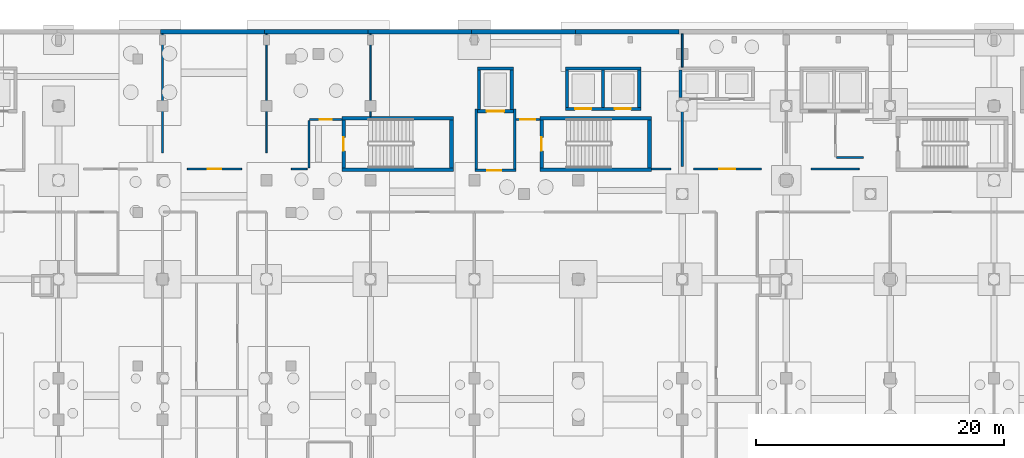
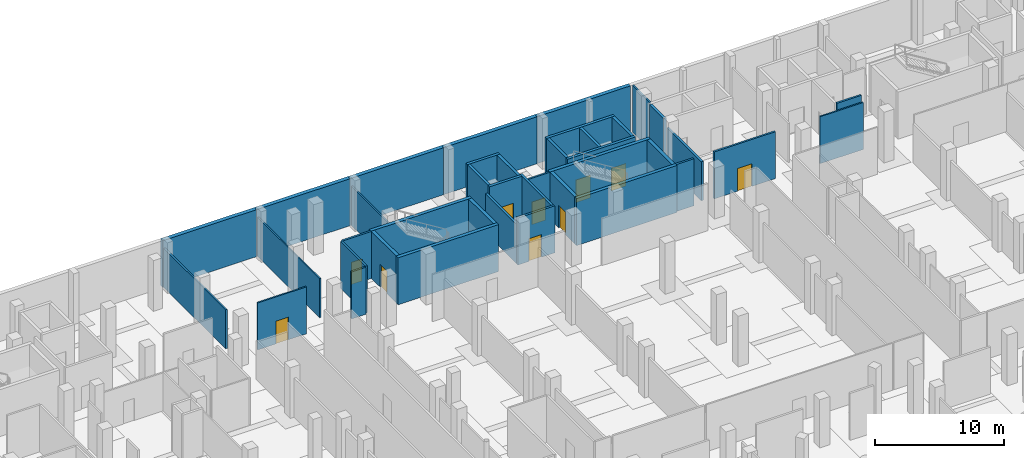
# One storey, part 34 of 45: 40 walls, 10 doors, 10 openings.
"""IFC4 building model written with IfcOpenShell, lengths in metres."""

from ifc_helpers import new_model, si_unit, direction, frame, frame_2d, origin, place, context, subcontext, project, spatial, rectangle, extrude, material, layer, layer_set, type_object, element, fill, save


model = new_model("IFC4")

# Units and contexts
model_context = context("Model", 3, precision=1e-05, world=origin(), true_north=direction((0.0, 1.0)))
body_context = subcontext(model_context, "Body", "Model", "MODEL_VIEW")
ifc_project = project(units=[si_unit("LENGTHUNIT", "METRE"), si_unit("AREAUNIT", "SQUARE_METRE"), si_unit("VOLUMEUNIT", "CUBIC_METRE"), si_unit("PLANEANGLEUNIT", "RADIAN"), si_unit("MASSUNIT", "GRAM", prefix="KILO")], contexts=[model_context])

# Site, building, storey
site_placement = place(None, origin())
site = spatial("IfcSite", under=ifc_project, at=site_placement, CompositionType="ELEMENT")
building_placement = place(site_placement, origin())
building = spatial("IfcBuilding", under=site, at=building_placement, Name="Selatvlak General Hospital", CompositionType="ELEMENT")
storey_placement = place(building_placement, frame((0.0, 0.0, -4.800048828125)))
storey = spatial("IfcBuildingStorey", under=building, at=storey_placement, Name="B1", CompositionType="ELEMENT", Elevation=-4.800048828125)

# Walls
ifc_material_1 = material(Name="Concrete C45/55", Category="concrete")
ifc_layer_1 = layer(ifc_material_1, 0.35009765625, Name="Concrete C45/55", Category="concrete")
ifc_layer_set_1 = layer_set([ifc_layer_1], Name="Concrete C45/55")
wall_type_1 = type_object("IfcWallType", Name="WALL-EW-05", PredefinedType="SHEAR", material=ifc_layer_set_1)
wall_1_placement = place(storey_placement, frame((73.047119140625, 119.9990234375, 0.0), z_axis=(0.0, 0.0, 1.0), x_axis=(1.0, 0.0, 0.0)))
element("IfcWall", 1, at=wall_1_placement, inside=storey, type_object=wall_type_1, Name="B1 retaining wall 0017", PredefinedType="SHEAR", context=body_context, shape_type="SweptSolid", body=[
    extrude(rectangle(XDim=8.380859375, YDim=0.35009765625, at=frame_2d((4.1904296875, 0.0))), origin(), (0.0, 0.0, 1.0), 4.449951171875),
])
wall_2_placement = place(storey_placement, frame((81.427978515625, 119.9990234375, 0.0), z_axis=(0.0, 0.0, 1.0), x_axis=(1.0, 0.0, 0.0)))
element("IfcWall", 2, at=wall_2_placement, inside=storey, type_object=wall_type_1, Name="B1 retaining wall 0018", PredefinedType="SHEAR", context=body_context, shape_type="SweptSolid", body=[
    extrude(rectangle(XDim=8.381103515625, YDim=0.35009765625, at=frame_2d((4.1904296875, 0.0))), origin(), (0.0, 0.0, 1.0), 4.449951171875),
])
wall_3_placement = place(storey_placement, frame((89.80908203125, 119.9990234375, 0.0), z_axis=(0.0, 0.0, 1.0), x_axis=(0.999999993211, 0.000116522954, 0.0)))
element("IfcWall", 3, at=wall_3_placement, inside=storey, type_object=wall_type_1, Name="B1 retaining wall 0019", PredefinedType="SHEAR", context=body_context, shape_type="SweptSolid", body=[
    extrude(rectangle(XDim=8.380859375, YDim=0.35009765625, at=frame_2d((4.1904296875, 0.0))), origin(), (0.0, 0.0, 1.0), 4.449951171875),
])
wall_4_placement = place(storey_placement, frame((98.18994140625, 120.0, 0.0), z_axis=(0.0, 0.0, 1.0), x_axis=(1.0, 0.0, 0.0)))
element("IfcWall", 4, at=wall_4_placement, inside=storey, type_object=wall_type_1, Name="B1 retaining wall 0020", PredefinedType="SHEAR", context=body_context, shape_type="SweptSolid", body=[
    extrude(rectangle(XDim=8.381103515625, YDim=0.35009765625, at=frame_2d((4.1904296875, 0.0))), origin(), (0.0, 0.0, 1.0), 4.449951171875),
])
wall_5_placement = place(storey_placement, frame((106.571044921875, 120.0, 0.0), z_axis=(0.0, 0.0, 1.0), x_axis=(1.0, 0.0, 0.0)))
element("IfcWall", 5, at=wall_5_placement, inside=storey, type_object=wall_type_1, Name="B1 retaining wall 0021", PredefinedType="SHEAR", context=body_context, shape_type="SweptSolid", body=[
    extrude(rectangle(XDim=8.380859375, YDim=0.35009765625, at=frame_2d((4.1904296875, 0.0))), origin(), (0.0, 0.0, 1.0), 4.449951171875),
])

# Wall, opening, door
ifc_material_2 = material(Name="Concrete C40/50", Category="concrete")
ifc_layer_2 = layer(ifc_material_2, 0.199951171875, Name="Concrete C40/50", Category="concrete")
ifc_layer_set_2 = layer_set([ifc_layer_2], Name="Concrete C40/50")
wall_type_2 = type_object("IfcWallType", Name="WALL-IW-02", PredefinedType="SOLIDWALL", material=ifc_layer_set_2)
wall_6_placement = place(storey_placement, frame((98.449951171875, 108.800048828125, 0.0), z_axis=(0.0, 0.0, 1.0), x_axis=(1.0, 0.0, 0.0)))
wall_6 = element("IfcWall", 6, at=wall_6_placement, inside=storey, type_object=wall_type_2, Name="Firefighting lobby C2 wall B1 S", PredefinedType="SOLIDWALL", context=body_context, shape_type="SweptSolid", body=[
    extrude(rectangle(XDim=3.300048828125, YDim=0.199951171875, at=frame_2d((1.64990234375, 0.0))), origin(), (0.0, 0.0, 1.0), 4.449951171875),
])
opening_1_placement = place(wall_6_placement, frame((0.97509765625, 0.0, 0.0)))
opening_1 = element("IfcOpeningElement", 7, at=opening_1_placement, cuts=wall_6, Name="Opening D-06", PredefinedType="OPENING", context=body_context, shape_type="SweptSolid", body=[
    extrude(rectangle(XDim=1.14990234375, YDim=2.14990234375, at=frame_2d((0.574951171875, 1.074951171875))), frame((0.0, 0.10986328125, 0.0), z_axis=(0.0, -1.0, 0.0), x_axis=(1.0, 0.0, 0.0)), (0.0, 0.0, 1.0), 0.219970703125),
])
ifc_material_3 = material(Name="Firefighting lobby fire door")
door_type_1 = type_object("IfcDoorType", Name="DOOR-D-06", OperationType="NOTDEFINED", PredefinedType="DOOR", material=ifc_material_3)
door_1_placement = place(opening_1_placement, origin())
door_1 = element("IfcDoor", 8, at=door_1_placement, inside=storey, type_object=door_type_1, Name="Firefighting lobby C2 door on B1", OperationType="SINGLE_SWING_LEFT", OverallHeight=2.14990234375, OverallWidth=1.14990234375, PredefinedType="DOOR", context=body_context, shape_type="SweptSolid", body=[
    extrude(rectangle(XDim=1.14990234375, YDim=2.14990234375, at=frame_2d((0.574951171875, 1.074951171875))), frame((0.0, 0.02490234375, 0.0), z_axis=(0.0, -1.0, 0.0), x_axis=(1.0, 0.0, 0.0)), (0.0, 0.0, 1.0), 0.050048828125),
])
fill(opening_1, door_1)

# Walls
wall_7_placement = place(storey_placement, frame((101.64990234375, 108.89990234375, 0.0), z_axis=(0.0, 0.0, 1.0), x_axis=(0.0, 1.0, 0.0)))
element("IfcWall", 9, at=wall_7_placement, inside=storey, type_object=wall_type_2, Name="Firefighting lobby C2 wall B1 E", PredefinedType="SOLIDWALL", context=body_context, shape_type="SweptSolid", body=[
    extrude(rectangle(XDim=4.85009765625, YDim=0.199951171875, at=frame_2d((2.425048828125, 0.0))), origin(), (0.0, 0.0, 1.0), 4.449951171875),
])
wall_8_placement = place(storey_placement, frame((98.550048828125, 113.75, 0.0), z_axis=(0.0, 0.0, 1.0), x_axis=(0.0, -1.0, 0.0)))
element("IfcWall", 10, at=wall_8_placement, inside=storey, type_object=wall_type_2, Name="Firefighting lobby C2 wall B1 W", PredefinedType="SOLIDWALL", context=body_context, shape_type="SweptSolid", body=[
    extrude(rectangle(XDim=4.85009765625, YDim=0.199951171875, at=frame_2d((2.425048828125, 0.0))), origin(), (0.0, 0.0, 1.0), 3.699951171875),
])

# Wall, opening, door
ifc_material_4 = material(Name="Acoustic gypsum stud partition")
ifc_layer_3 = layer(ifc_material_4, 0.179931640625, Name="Acoustic gypsum stud partition")
ifc_layer_set_3 = layer_set([ifc_layer_3], Name="Acoustic gypsum stud partition")
wall_type_3 = type_object("IfcWallType", Name="WALL-PT-01", PredefinedType="PARTITIONING", material=ifc_layer_set_3)
wall_9_placement = place(storey_placement, frame((87.68994140625, 112.89990234375, 0.0), z_axis=(0.0, 0.0, 1.0), x_axis=(-1.0, 0.0, 0.0)))
wall_9 = element("IfcWall", 11, at=wall_9_placement, inside=storey, type_object=wall_type_3, Name="B1 clinical partition PT-B1-0340", PredefinedType="PARTITIONING", context=body_context, shape_type="SweptSolid", body=[
    extrude(rectangle(XDim=2.58984375, YDim=0.179931640625, at=frame_2d((1.294921875, 0.0))), origin(), (0.0, 0.0, 1.0), 4.449951171875),
])
opening_2_placement = place(wall_9_placement, frame((0.820068359375, 0.0, 0.0)))
opening_2 = element("IfcOpeningElement", 12, at=opening_2_placement, cuts=wall_9, Name="Opening D-02", PredefinedType="OPENING", context=body_context, shape_type="SweptSolid", body=[
    extrude(rectangle(XDim=0.949951171875, YDim=2.10009765625, at=frame_2d((0.47509765625, 1.050048828125))), frame((0.0, 0.099853515625, 0.0), z_axis=(0.0, -1.0, 0.0), x_axis=(1.0, 0.0, 0.0)), (0.0, 0.0, 1.0), 0.199951171875),
])
ifc_material_5 = material(Name="Moisture-resistant en-suite door")
door_type_2 = type_object("IfcDoorType", Name="DOOR-D-02", OperationType="NOTDEFINED", PredefinedType="DOOR", material=ifc_material_5)
door_2_placement = place(opening_2_placement, origin())
door_2 = element("IfcDoor", 13, at=door_2_placement, inside=storey, type_object=door_type_2, Name="B1 Hospital Dietary Kitchen 82 door", OperationType="SINGLE_SWING_RIGHT", OverallHeight=2.10009765625, OverallWidth=0.949951171875, PredefinedType="DOOR", context=body_context, shape_type="SweptSolid", body=[
    extrude(rectangle(XDim=0.949951171875, YDim=2.10009765625, at=frame_2d((0.47509765625, 1.050048828125))), frame((0.0, 0.02490234375, 0.0), z_axis=(0.0, -1.0, 0.0), x_axis=(1.0, 0.0, 0.0)), (0.0, 0.0, 1.0), 0.050048828125),
])
fill(opening_2, door_2)

# Walls
wall_10_placement = place(storey_placement, frame((114.287109375, 108.909912109375, 0.0), z_axis=(0.0, 0.0, 1.0), x_axis=(-1.0, 0.0, 0.0)))
element("IfcWall", 14, at=wall_10_placement, inside=storey, type_object=wall_type_3, Name="B1 clinical partition PT-B1-0345", PredefinedType="PARTITIONING", context=body_context, shape_type="SweptSolid", body=[
    extrude(rectangle(XDim=1.5771484375, YDim=0.179931640625, at=frame_2d((0.78857421875, 0.0))), origin(), (0.0, 0.0, 1.0), 4.449951171875),
])
wall_11_placement = place(storey_placement, frame((115.199951171875, 114.452880859375, 0.0), z_axis=(0.0, 0.0, 1.0), x_axis=(0.0, -1.0, 0.0)))
element("IfcWall", 15, at=wall_11_placement, inside=storey, type_object=wall_type_3, Name="B1 clinical partition PT-B1-0348", PredefinedType="PARTITIONING", context=body_context, shape_type="SweptSolid", body=[
    extrude(rectangle(XDim=5.3427734375, YDim=0.179931640625, at=frame_2d((2.67138671875, 0.0))), origin(), (0.0, 0.0, 1.0), 3.699951171875),
])
ifc_layer_4 = layer(ifc_material_4, 0.1650390625, Name="Acoustic gypsum stud partition")
ifc_layer_set_4 = layer_set([ifc_layer_4], Name="Acoustic gypsum stud partition")
wall_type_4 = type_object("IfcWallType", Name="WALL-PT-02", PredefinedType="PARTITIONING", material=ifc_layer_set_4)
wall_12_placement = place(storey_placement, frame((85.0400390625, 112.840087890625, 0.0), z_axis=(0.0, 0.0, 1.0), x_axis=(0.0, -1.0, 0.0)))
element("IfcWall", 16, at=wall_12_placement, inside=storey, type_object=wall_type_4, Name="B1 clinical partition PT-B1-0341", PredefinedType="PARTITIONING", context=body_context, shape_type="SweptSolid", body=[
    extrude(rectangle(XDim=3.8671875, YDim=0.1650390625, at=frame_2d((1.93359375, 0.0))), origin(), (0.0, 0.0, 1.0), 4.449951171875),
])

# Wall, opening, door
wall_13_placement = place(storey_placement, frame((103.68994140625, 112.89990234375, 0.0), z_axis=(0.0, 0.0, 1.0), x_axis=(-1.0, 0.0, 0.0)))
wall_13 = element("IfcWall", 17, at=wall_13_placement, inside=storey, type_object=wall_type_4, Name="B1 clinical partition PT-B1-0346", PredefinedType="PARTITIONING", context=body_context, shape_type="SweptSolid", body=[
    extrude(rectangle(XDim=1.94287109375, YDim=0.1650390625, at=frame_2d((0.971435546875, 0.0))), origin(), (0.0, 0.0, 1.0), 4.449951171875),
])
opening_3_placement = place(wall_13_placement, frame((0.37109375, 0.0, 0.0)))
opening_3 = element("IfcOpeningElement", 18, at=opening_3_placement, cuts=wall_13, Name="Opening D-07", PredefinedType="OPENING", context=body_context, shape_type="SweptSolid", body=[
    extrude(rectangle(XDim=1.199951171875, YDim=2.14990234375, at=frame_2d((0.60009765625, 1.074951171875))), frame((0.0, 0.092529296875, 0.0), z_axis=(0.0, -1.0, 0.0), x_axis=(1.0, 0.0, 0.0)), (0.0, 0.0, 1.0), 0.18505859375),
])
ifc_material_6 = material(Name="Plant and store fire door")
door_type_3 = type_object("IfcDoorType", Name="DOOR-D-07", OperationType="NOTDEFINED", PredefinedType="DOOR", material=ifc_material_6)
door_3_placement = place(opening_3_placement, origin())
door_3 = element("IfcDoor", 19, at=door_3_placement, inside=storey, type_object=door_type_3, Name="B1 Central Chiller Plant 84 door", OperationType="SINGLE_SWING_LEFT", OverallHeight=2.14990234375, OverallWidth=1.199951171875, PredefinedType="DOOR", context=body_context, shape_type="SweptSolid", body=[
    extrude(rectangle(XDim=1.199951171875, YDim=2.14990234375, at=frame_2d((0.60009765625, 1.074951171875))), frame((0.0, 0.02490234375, 0.0), z_axis=(0.0, -1.0, 0.0), x_axis=(1.0, 0.0, 0.0)), (0.0, 0.0, 1.0), 0.050048828125),
])
fill(opening_3, door_3)

wall_14_placement = place(storey_placement, frame((121.589111328125, 108.909912109375, 0.0), z_axis=(0.0, 0.0, 1.0), x_axis=(-1.0, 0.0, 0.0)))
wall_14 = element("IfcWall", 20, at=wall_14_placement, inside=storey, type_object=wall_type_4, Name="B1 clinical partition PT-B1-0349", PredefinedType="PARTITIONING", context=body_context, shape_type="SweptSolid", body=[
    extrude(rectangle(XDim=5.47607421875, YDim=0.1650390625, at=frame_2d((2.738037109375, 0.0))), origin(), (0.0, 0.0, 1.0), 4.449951171875),
])
opening_4_placement = place(wall_14_placement, frame((2.087890625, 0.0, 0.0)))
opening_4 = element("IfcOpeningElement", 21, at=opening_4_placement, cuts=wall_14, Name="Opening D-09", PredefinedType="OPENING", context=body_context, shape_type="SweptSolid", body=[
    extrude(rectangle(XDim=1.300048828125, YDim=2.14990234375, at=frame_2d((0.64990234375, 1.074951171875))), frame((0.0, 0.092529296875, 0.0), z_axis=(0.0, -1.0, 0.0), x_axis=(1.0, 0.0, 0.0)), (0.0, 0.0, 1.0), 0.18505859375),
])
ifc_material_7 = material(Name="Outpatient procedure door")
door_type_4 = type_object("IfcDoorType", Name="DOOR-D-09", OperationType="NOTDEFINED", PredefinedType="DOOR", material=ifc_material_7)
door_4_placement = place(opening_4_placement, origin())
door_4 = element("IfcDoor", 22, at=door_4_placement, inside=storey, type_object=door_type_4, Name="B1 Standby Generator Plant 85 door", OperationType="SINGLE_SWING_RIGHT", OverallHeight=2.14990234375, OverallWidth=1.300048828125, PredefinedType="DOOR", context=body_context, shape_type="SweptSolid", body=[
    extrude(rectangle(XDim=1.300048828125, YDim=2.14990234375, at=frame_2d((0.64990234375, 1.074951171875))), frame((0.0, 0.02490234375, 0.0), z_axis=(0.0, -1.0, 0.0), x_axis=(1.0, 0.0, 0.0)), (0.0, 0.0, 1.0), 0.050048828125),
])
fill(opening_4, door_4)

# Walls
wall_15_placement = place(storey_placement, frame((127.64990234375, 109.840087890625, 0.0), z_axis=(0.0, 0.0, 1.0), x_axis=(1.0, 0.0, 0.0)))
element("IfcWall", 23, at=wall_15_placement, inside=storey, type_object=wall_type_4, Name="B1 clinical partition PT-B1-0352", PredefinedType="PARTITIONING", context=body_context, shape_type="SweptSolid", body=[
    extrude(rectangle(XDim=2.190185546875, YDim=0.1650390625, at=frame_2d((1.09521484375, 0.0))), origin(), (0.0, 0.0, 1.0), 4.449951171875),
])
ifc_layer_5 = layer(ifc_material_4, 0.14990234375, Name="Acoustic gypsum stud partition")
ifc_layer_set_5 = layer_set([ifc_layer_5], Name="Acoustic gypsum stud partition")
wall_type_5 = type_object("IfcWallType", Name="WALL-PT-03", PredefinedType="PARTITIONING", material=ifc_layer_set_5)
wall_16_placement = place(storey_placement, frame((73.199951171875, 119.826904296875, 0.0), z_axis=(0.0, 0.0, 1.0), x_axis=(0.0, -1.0, 0.0)))
element("IfcWall", 24, at=wall_16_placement, inside=storey, type_object=wall_type_5, Name="B1 clinical partition PT-B1-0337", PredefinedType="PARTITIONING", context=body_context, shape_type="SweptSolid", body=[
    extrude(rectangle(XDim=9.616943359375, YDim=0.14990234375, at=frame_2d((4.80859375, 0.0))), origin(), (0.0, 0.0, 1.0), 3.699951171875),
])
wall_17_placement = place(storey_placement, frame((84.886962890625, 108.909912109375, 0.0), z_axis=(0.0, 0.0, 1.0), x_axis=(-1.0, 0.0, 0.0)))
element("IfcWall", 25, at=wall_17_placement, inside=storey, type_object=wall_type_5, Name="B1 clinical partition PT-B1-0342", PredefinedType="PARTITIONING", context=body_context, shape_type="SweptSolid", body=[
    extrude(rectangle(XDim=1.27587890625, YDim=0.14990234375, at=frame_2d((0.637939453125, 0.0))), origin(), (0.0, 0.0, 1.0), 4.449951171875),
])

# Wall, opening, door
ifc_material_8 = material(Name="Moisture-resistant clinical partition")
ifc_layer_6 = layer(ifc_material_8, 0.135009765625, Name="Moisture-resistant clinical partition")
ifc_layer_set_6 = layer_set([ifc_layer_6], Name="Moisture-resistant clinical partition")
wall_type_6 = type_object("IfcWallType", Name="WALL-PT-04", PredefinedType="PARTITIONING", material=ifc_layer_set_6)
wall_18_placement = place(storey_placement, frame((79.589111328125, 108.909912109375, 0.0), z_axis=(0.0, 0.0, 1.0), x_axis=(-1.0, 0.0, 0.0)))
wall_18 = element("IfcWall", 26, at=wall_18_placement, inside=storey, type_object=wall_type_6, Name="B1 clinical partition PT-B1-0338", PredefinedType="PARTITIONING", context=body_context, shape_type="SweptSolid", body=[
    extrude(rectangle(XDim=4.378173828125, YDim=0.135009765625, at=frame_2d((2.18896484375, 0.0))), origin(), (0.0, 0.0, 1.0), 4.449951171875),
])
opening_5_placement = place(wall_18_placement, frame((1.638916015625, 0.0, 0.0)))
opening_5 = element("IfcOpeningElement", 27, at=opening_5_placement, cuts=wall_18, Name="Opening D-22", PredefinedType="OPENING", context=body_context, shape_type="SweptSolid", body=[
    extrude(rectangle(XDim=1.10009765625, YDim=2.14990234375, at=frame_2d((0.550048828125, 1.074951171875))), frame((0.0, 0.077392578125, 0.0), z_axis=(0.0, -1.0, 0.0), x_axis=(1.0, 0.0, 0.0)), (0.0, 0.0, 1.0), 0.155029296875),
])
ifc_material_9 = material(Name="Pharmacy security fire door")
door_type_5 = type_object("IfcDoorType", Name="DOOR-D-22", OperationType="NOTDEFINED", PredefinedType="DOOR", material=ifc_material_9)
door_5_placement = place(opening_5_placement, origin())
door_5 = element("IfcDoor", 28, at=door_5_placement, inside=storey, type_object=door_type_5, Name="B1 Central Sterile Supply Department 81 door", OperationType="SINGLE_SWING_LEFT", OverallHeight=2.14990234375, OverallWidth=1.10009765625, PredefinedType="DOOR", context=body_context, shape_type="SweptSolid", body=[
    extrude(rectangle(XDim=1.10009765625, YDim=2.14990234375, at=frame_2d((0.550048828125, 1.074951171875))), frame((0.0, 0.02490234375, 0.0), z_axis=(0.0, -1.0, 0.0), x_axis=(1.0, 0.0, 0.0)), (0.0, 0.0, 1.0), 0.050048828125),
])
fill(opening_5, door_5)

# Walls
wall_19_placement = place(storey_placement, frame((90.0, 119.826904296875, 0.0), z_axis=(0.0, 0.0, 1.0), x_axis=(0.0, -1.0, 0.0)))
element("IfcWall", 29, at=wall_19_placement, inside=storey, type_object=wall_type_6, Name="B1 clinical partition PT-B1-0343", PredefinedType="PARTITIONING", context=body_context, shape_type="SweptSolid", body=[
    extrude(rectangle(XDim=6.679931640625, YDim=0.135009765625, at=frame_2d((3.33984375, 0.0))), origin(), (0.0, 0.0, 1.0), 3.699951171875),
])
wall_20_placement = place(storey_placement, frame((115.199951171875, 119.827880859375, 0.0), z_axis=(0.0, 0.0, 1.0), x_axis=(0.0, -1.0, 0.0)))
element("IfcWall", 30, at=wall_20_placement, inside=storey, type_object=wall_type_6, Name="B1 clinical partition PT-B1-0347", PredefinedType="PARTITIONING", context=body_context, shape_type="SweptSolid", body=[
    extrude(rectangle(XDim=2.680908203125, YDim=0.135009765625, at=frame_2d((1.34033203125, 0.0))), origin(), (0.0, 0.0, 1.0), 4.449951171875),
])
wall_21_placement = place(storey_placement, frame((129.487060546875, 108.909912109375, 0.0), z_axis=(0.0, 0.0, 1.0), x_axis=(-1.0, 0.0, 0.0)))
element("IfcWall", 31, at=wall_21_placement, inside=storey, type_object=wall_type_6, Name="B1 clinical partition PT-B1-0353", PredefinedType="PARTITIONING", context=body_context, shape_type="SweptSolid", body=[
    extrude(rectangle(XDim=3.8759765625, YDim=0.135009765625, at=frame_2d((1.93798828125, 0.0))), origin(), (0.0, 0.0, 1.0), 4.449951171875),
])
ifc_layer_7 = layer(ifc_material_8, 0.1201171875, Name="Moisture-resistant clinical partition")
ifc_layer_set_7 = layer_set([ifc_layer_7], Name="Moisture-resistant clinical partition")
wall_type_7 = type_object("IfcWallType", Name="WALL-PT-05", PredefinedType="PARTITIONING", material=ifc_layer_set_7)
wall_22_placement = place(storey_placement, frame((81.60009765625, 119.826904296875, 0.0), z_axis=(0.0, 0.0, 1.0), x_axis=(0.0, -1.0, 0.0)))
element("IfcWall", 32, at=wall_22_placement, inside=storey, type_object=wall_type_7, Name="B1 clinical partition PT-B1-0339", PredefinedType="PARTITIONING", context=body_context, shape_type="SweptSolid", body=[
    extrude(rectangle(XDim=9.616943359375, YDim=0.1201171875, at=frame_2d((4.80859375, 0.0))), origin(), (0.0, 0.0, 1.0), 3.699951171875),
])
ifc_layer_8 = layer(ifc_material_1, 0.300048828125, Name="Concrete C45/55", Category="concrete")
ifc_layer_set_8 = layer_set([ifc_layer_8], Name="Concrete C45/55")
wall_type_8 = type_object("IfcWallType", Name="WALL-SW-02", PredefinedType="SHEAR", material=ifc_layer_set_8)
wall_23_placement = place(storey_placement, frame((87.68994140625, 108.840087890625, 0.0), z_axis=(0.0, 0.0, 1.0), x_axis=(1.0, 0.0, 0.0)))
element("IfcWall", 33, at=wall_23_placement, inside=storey, type_object=wall_type_8, Name="ST-02 core shear wall B1 S", PredefinedType="SHEAR", context=body_context, shape_type="SweptSolid", body=[
    extrude(rectangle(XDim=9.02001953125, YDim=0.300048828125, at=frame_2d((4.510009765625, 0.0))), origin(), (0.0, 0.0, 1.0), 4.449951171875),
])
wall_24_placement = place(storey_placement, frame((96.56005859375, 108.989990234375, 0.0), z_axis=(0.0, 0.0, 1.0), x_axis=(0.0, 1.0, 0.0)))
element("IfcWall", 34, at=wall_24_placement, inside=storey, type_object=wall_type_8, Name="ST-02 core shear wall B1 E", PredefinedType="SHEAR", context=body_context, shape_type="SweptSolid", body=[
    extrude(rectangle(XDim=3.860107421875, YDim=0.300048828125, at=frame_2d((1.93017578125, 0.0))), origin(), (0.0, 0.0, 1.0), 4.449951171875),
])
wall_25_placement = place(storey_placement, frame((96.7099609375, 113.0, 0.0), z_axis=(0.0, 0.0, 1.0), x_axis=(-1.0, 0.0, 0.0)))
element("IfcWall", 35, at=wall_25_placement, inside=storey, type_object=wall_type_8, Name="ST-02 core shear wall B1 N", PredefinedType="SHEAR", context=body_context, shape_type="SweptSolid", body=[
    extrude(rectangle(XDim=9.02001953125, YDim=0.300048828125, at=frame_2d((4.510009765625, 0.0))), origin(), (0.0, 0.0, 1.0), 4.449951171875),
])

# Wall, opening, door
wall_26_placement = place(storey_placement, frame((87.840087890625, 112.85009765625, 0.0), z_axis=(0.0, 0.0, 1.0), x_axis=(0.0, -1.0, 0.0)))
wall_26 = element("IfcWall", 36, at=wall_26_placement, inside=storey, type_object=wall_type_8, Name="ST-02 core shear wall B1 W", PredefinedType="SHEAR", context=body_context, shape_type="SweptSolid", body=[
    extrude(rectangle(XDim=3.860107421875, YDim=0.300048828125, at=frame_2d((1.93017578125, 0.0))), origin(), (0.0, 0.0, 1.0), 4.449951171875),
])
opening_6_placement = place(wall_26_placement, frame((1.3798828125, 0.0, 0.0)))
opening_6 = element("IfcOpeningElement", 37, at=opening_6_placement, cuts=wall_26, Name="Opening D-05", PredefinedType="OPENING", context=body_context, shape_type="SweptSolid", body=[
    extrude(rectangle(XDim=1.10009765625, YDim=2.14990234375, at=frame_2d((0.550048828125, 1.074951171875))), frame((0.0, 0.159912109375, 0.0), z_axis=(0.0, -1.0, 0.0), x_axis=(1.0, 0.0, 0.0)), (0.0, 0.0, 1.0), 0.320068359375),
])
ifc_material_10 = material(Name="Protected stair fire door")
door_type_6 = type_object("IfcDoorType", Name="DOOR-D-05", OperationType="NOTDEFINED", PredefinedType="DOOR", material=ifc_material_10)
door_6_placement = place(opening_6_placement, origin())
door_6 = element("IfcDoor", 38, at=door_6_placement, inside=storey, type_object=door_type_6, Name="ST-02 protected stair door on B1", OperationType="SINGLE_SWING_RIGHT", OverallHeight=2.14990234375, OverallWidth=1.10009765625, PredefinedType="DOOR", context=body_context, shape_type="SweptSolid", body=[
    extrude(rectangle(XDim=1.10009765625, YDim=2.14990234375, at=frame_2d((0.550048828125, 1.074951171875))), frame((0.0, 0.02490234375, 0.0), z_axis=(0.0, -1.0, 0.0), x_axis=(1.0, 0.0, 0.0)), (0.0, 0.0, 1.0), 0.050048828125),
])
fill(opening_6, door_6)

# Walls
wall_27_placement = place(storey_placement, frame((103.68994140625, 108.840087890625, 0.0), z_axis=(0.0, 0.0, 1.0), x_axis=(1.0, 0.0, 0.0)))
element("IfcWall", 39, at=wall_27_placement, inside=storey, type_object=wall_type_8, Name="ST-03 core shear wall B1 S", PredefinedType="SHEAR", context=body_context, shape_type="SweptSolid", body=[
    extrude(rectangle(XDim=9.02001953125, YDim=0.300048828125, at=frame_2d((4.510009765625, 0.0))), origin(), (0.0, 0.0, 1.0), 4.449951171875),
])
wall_28_placement = place(storey_placement, frame((112.56005859375, 108.989990234375, 0.0), z_axis=(0.0, 0.0, 1.0), x_axis=(0.0, 1.0, 0.0)))
element("IfcWall", 40, at=wall_28_placement, inside=storey, type_object=wall_type_8, Name="ST-03 core shear wall B1 E", PredefinedType="SHEAR", context=body_context, shape_type="SweptSolid", body=[
    extrude(rectangle(XDim=3.860107421875, YDim=0.300048828125, at=frame_2d((1.93017578125, 0.0))), origin(), (0.0, 0.0, 1.0), 4.449951171875),
])
wall_29_placement = place(storey_placement, frame((112.7099609375, 113.0, 0.0), z_axis=(0.0, 0.0, 1.0), x_axis=(-1.0, 0.0, 0.0)))
element("IfcWall", 41, at=wall_29_placement, inside=storey, type_object=wall_type_8, Name="ST-03 core shear wall B1 N", PredefinedType="SHEAR", context=body_context, shape_type="SweptSolid", body=[
    extrude(rectangle(XDim=9.02001953125, YDim=0.300048828125, at=frame_2d((4.510009765625, 0.0))), origin(), (0.0, 0.0, 1.0), 4.449951171875),
])

# Wall, opening, door
wall_30_placement = place(storey_placement, frame((103.840087890625, 112.85009765625, 0.0), z_axis=(0.0, 0.0, 1.0), x_axis=(0.0, -1.0, 0.0)))
wall_30 = element("IfcWall", 42, at=wall_30_placement, inside=storey, type_object=wall_type_8, Name="ST-03 core shear wall B1 W", PredefinedType="SHEAR", context=body_context, shape_type="SweptSolid", body=[
    extrude(rectangle(XDim=3.860107421875, YDim=0.300048828125, at=frame_2d((1.93017578125, 0.0))), origin(), (0.0, 0.0, 1.0), 4.449951171875),
])
opening_7_placement = place(wall_30_placement, frame((1.3798828125, 0.0, 0.0)))
opening_7 = element("IfcOpeningElement", 43, at=opening_7_placement, cuts=wall_30, Name="Opening D-05", PredefinedType="OPENING", context=body_context, shape_type="SweptSolid", body=[
    extrude(rectangle(XDim=1.10009765625, YDim=2.14990234375, at=frame_2d((0.550048828125, 1.074951171875))), frame((0.0, 0.159912109375, 0.0), z_axis=(0.0, -1.0, 0.0), x_axis=(1.0, 0.0, 0.0)), (0.0, 0.0, 1.0), 0.320068359375),
])
door_7_placement = place(opening_7_placement, origin())
door_7 = element("IfcDoor", 44, at=door_7_placement, inside=storey, type_object=door_type_6, Name="ST-03 protected stair door on B1", OperationType="SINGLE_SWING_LEFT", OverallHeight=2.14990234375, OverallWidth=1.10009765625, PredefinedType="DOOR", context=body_context, shape_type="SweptSolid", body=[
    extrude(rectangle(XDim=1.10009765625, YDim=2.14990234375, at=frame_2d((0.550048828125, 1.074951171875))), frame((0.0, 0.02490234375, 0.0), z_axis=(0.0, -1.0, 0.0), x_axis=(1.0, 0.0, 0.0)), (0.0, 0.0, 1.0), 0.050048828125),
])
fill(opening_7, door_7)

ifc_layer_9 = layer(ifc_material_2, 0.25, Name="Concrete C40/50", Category="concrete")
ifc_layer_set_9 = layer_set([ifc_layer_9], Name="Concrete C40/50")
wall_type_9 = type_object("IfcWallType", Name="WALL-SW-03", PredefinedType="SHEAR", material=ifc_layer_set_9)
wall_31_placement = place(storey_placement, frame((98.64990234375, 113.574951171875, 0.0), z_axis=(0.0, 0.0, 1.0), x_axis=(1.0, 0.0, 0.0)))
wall_31 = element("IfcWall", 45, at=wall_31_placement, inside=storey, type_object=wall_type_9, Name="Lift LF-02 shaft wall B1 S", PredefinedType="SHEAR", context=body_context, shape_type="SweptSolid", body=[
    extrude(rectangle(XDim=2.900146484375, YDim=0.25, at=frame_2d((1.4501953125, 0.0))), origin(), (0.0, 0.0, 1.0), 4.449951171875),
])
opening_8_placement = place(wall_31_placement, frame((0.75, 0.0, 0.0)))
opening_8 = element("IfcOpeningElement", 46, at=opening_8_placement, cuts=wall_31, Name="Opening LD-F1", PredefinedType="OPENING", context=body_context, shape_type="SweptSolid", body=[
    extrude(rectangle(XDim=1.39990234375, YDim=2.14990234375, at=frame_2d((0.699951171875, 1.074951171875))), frame((0.0, 0.135009765625, 0.0), z_axis=(0.0, -1.0, 0.0), x_axis=(1.0, 0.0, 0.0)), (0.0, 0.0, 1.0), 0.27001953125),
])
ifc_material_11 = material(Name="Stainless steel fire lift landing door", Category="steel")
door_type_7 = type_object("IfcDoorType", Name="DOOR-LD-F1", OperationType="DOUBLE_DOOR_SLIDING", PredefinedType="DOOR", material=ifc_material_11)
door_8_placement = place(opening_8_placement, origin())
door_8 = element("IfcDoor", 47, at=door_8_placement, inside=storey, type_object=door_type_7, Name="Lift LF-02 sliding landing door on B1", OperationType="DOUBLE_DOOR_SLIDING", OverallHeight=2.14990234375, OverallWidth=1.39990234375, PredefinedType="DOOR", context=body_context, shape_type="SweptSolid", body=[
    extrude(rectangle(XDim=1.39990234375, YDim=2.14990234375, at=frame_2d((0.699951171875, 1.074951171875))), frame((0.0, 0.02490234375, 0.0), z_axis=(0.0, -1.0, 0.0), x_axis=(1.0, 0.0, 0.0)), (0.0, 0.0, 1.0), 0.050048828125),
])
fill(opening_8, door_8)

# Walls
wall_32_placement = place(storey_placement, frame((101.425048828125, 113.699951171875, 0.0), z_axis=(0.0, 0.0, 1.0), x_axis=(0.0, 1.0, 0.0)))
element("IfcWall", 48, at=wall_32_placement, inside=storey, type_object=wall_type_9, Name="Lift LF-02 shaft wall B1 E", PredefinedType="SHEAR", context=body_context, shape_type="SweptSolid", body=[
    extrude(rectangle(XDim=3.199951171875, YDim=0.25, at=frame_2d((1.60009765625, 0.0))), origin(), (0.0, 0.0, 1.0), 4.449951171875),
])
wall_33_placement = place(storey_placement, frame((101.550048828125, 117.02490234375, 0.0), z_axis=(0.0, 0.0, 1.0), x_axis=(-1.0, 0.0, 0.0)))
element("IfcWall", 49, at=wall_33_placement, inside=storey, type_object=wall_type_9, Name="Lift LF-02 shaft wall B1 N", PredefinedType="SHEAR", context=body_context, shape_type="SweptSolid", body=[
    extrude(rectangle(XDim=2.900146484375, YDim=0.25, at=frame_2d((1.4501953125, 0.0))), origin(), (0.0, 0.0, 1.0), 4.449951171875),
])
wall_34_placement = place(storey_placement, frame((98.77490234375, 116.89990234375, 0.0), z_axis=(0.0, 0.0, 1.0), x_axis=(0.0, -1.0, 0.0)))
element("IfcWall", 50, at=wall_34_placement, inside=storey, type_object=wall_type_9, Name="Lift LF-02 shaft wall B1 W", PredefinedType="SHEAR", context=body_context, shape_type="SweptSolid", body=[
    extrude(rectangle(XDim=3.199951171875, YDim=0.25, at=frame_2d((1.60009765625, 0.0))), origin(), (0.0, 0.0, 1.0), 4.449951171875),
])

# Wall, openings, doors
wall_35_placement = place(storey_placement, frame((105.75, 113.77490234375, 0.0), z_axis=(0.0, 0.0, 1.0), x_axis=(1.0, 0.0, 0.0)))
wall_35 = element("IfcWall", 51, at=wall_35_placement, inside=storey, type_object=wall_type_9, Name="Lift LS-01-LS-02 shaft wall B1 S", PredefinedType="SHEAR", context=body_context, shape_type="SweptSolid", body=[
    extrude(rectangle(XDim=6.10009765625, YDim=0.25, at=frame_2d((3.050048828125, 0.0))), origin(), (0.0, 0.0, 1.0), 4.449951171875),
])
opening_9_placement = place(wall_35_placement, frame((0.800048828125, 0.0, 0.0)))
opening_9 = element("IfcOpeningElement", 52, at=opening_9_placement, cuts=wall_35, Name="Opening LD-S1", PredefinedType="OPENING", context=body_context, shape_type="SweptSolid", body=[
    extrude(rectangle(XDim=1.300048828125, YDim=2.14990234375, at=frame_2d((0.64990234375, 1.074951171875))), frame((0.0, 0.135009765625, 0.0), z_axis=(0.0, -1.0, 0.0), x_axis=(1.0, 0.0, 0.0)), (0.0, 0.0, 1.0), 0.27001953125),
])
opening_10_placement = place(wall_35_placement, frame((4.0, 0.0, 0.0)))
opening_10 = element("IfcOpeningElement", 53, at=opening_10_placement, cuts=wall_35, Name="Opening LD-S1", PredefinedType="OPENING", context=body_context, shape_type="SweptSolid", body=[
    extrude(rectangle(XDim=1.300048828125, YDim=2.14990234375, at=frame_2d((0.64990234375, 1.074951171875))), frame((0.0, 0.135009765625, 0.0), z_axis=(0.0, -1.0, 0.0), x_axis=(1.0, 0.0, 0.0)), (0.0, 0.0, 1.0), 0.27001953125),
])
ifc_material_12 = material(Name="Stainless steel goods lift landing door", Category="steel")
door_type_8 = type_object("IfcDoorType", Name="DOOR-LD-S1", OperationType="DOUBLE_DOOR_SLIDING", PredefinedType="DOOR", material=ifc_material_12)
door_9_placement = place(opening_9_placement, origin())
door_9 = element("IfcDoor", 54, at=door_9_placement, inside=storey, type_object=door_type_8, Name="Lift LS-01 sliding landing door on B1", OperationType="DOUBLE_DOOR_SLIDING", OverallHeight=2.14990234375, OverallWidth=1.300048828125, PredefinedType="DOOR", context=body_context, shape_type="SweptSolid", body=[
    extrude(rectangle(XDim=1.300048828125, YDim=2.14990234375, at=frame_2d((0.64990234375, 1.074951171875))), frame((0.0, 0.02490234375, 0.0), z_axis=(0.0, -1.0, 0.0), x_axis=(1.0, 0.0, 0.0)), (0.0, 0.0, 1.0), 0.050048828125),
])
fill(opening_9, door_9)
door_10_placement = place(opening_10_placement, origin())
door_10 = element("IfcDoor", 55, at=door_10_placement, inside=storey, type_object=door_type_8, Name="Lift LS-02 sliding landing door on B1", OperationType="DOUBLE_DOOR_SLIDING", OverallHeight=2.14990234375, OverallWidth=1.300048828125, PredefinedType="DOOR", context=body_context, shape_type="SweptSolid", body=[
    extrude(rectangle(XDim=1.300048828125, YDim=2.14990234375, at=frame_2d((0.64990234375, 1.074951171875))), frame((0.0, 0.02490234375, 0.0), z_axis=(0.0, -1.0, 0.0), x_axis=(1.0, 0.0, 0.0)), (0.0, 0.0, 1.0), 0.050048828125),
])
fill(opening_10, door_10)

# Walls
wall_36_placement = place(storey_placement, frame((111.72509765625, 113.89990234375, 0.0), z_axis=(0.0, 0.0, 1.0), x_axis=(0.0, 1.0, 0.0)))
element("IfcWall", 56, at=wall_36_placement, inside=storey, type_object=wall_type_9, Name="Lift LS-01-LS-02 shaft wall B1 E", PredefinedType="SHEAR", context=body_context, shape_type="SweptSolid", body=[
    extrude(rectangle(XDim=3.0, YDim=0.25, at=frame_2d((1.5, 0.0))), origin(), (0.0, 0.0, 1.0), 4.449951171875),
])
wall_37_placement = place(storey_placement, frame((111.85009765625, 117.02490234375, 0.0), z_axis=(0.0, 0.0, 1.0), x_axis=(-1.0, 0.0, 0.0)))
element("IfcWall", 57, at=wall_37_placement, inside=storey, type_object=wall_type_9, Name="Lift LS-01-LS-02 shaft wall B1 N", PredefinedType="SHEAR", context=body_context, shape_type="SweptSolid", body=[
    extrude(rectangle(XDim=6.10009765625, YDim=0.25, at=frame_2d((3.050048828125, 0.0))), origin(), (0.0, 0.0, 1.0), 4.449951171875),
])
for number, where, z_axis, x_axis, name in (
    (58, (105.875, 116.89990234375, 0.0), (0.0, 0.0, 1.0), (0.0, -1.0, 0.0), "Lift LS-01-LS-02 shaft wall B1 W"),
    (59, (108.800048828125, 113.89990234375, 0.0), (0.0, 0.0, 1.0), (0.0, 1.0, 0.0), "Lift LS-01-LS-02 dividing shaft wall B1"),
):
    element("IfcWall", number, at=place(storey_placement, frame(where, z_axis=z_axis, x_axis=x_axis)), inside=storey, type_object=wall_type_9, Name=name, PredefinedType="SHEAR", context=body_context, shape_type="SweptSolid", body=[
        extrude(rectangle(XDim=3.0, YDim=0.25, at=frame_2d((1.5, 0.0))), origin(), (0.0, 0.0, 1.0), 4.449951171875),
    ])
wall_38_placement = place(storey_placement, frame((115.074951171875, 116.89990234375, 0.0), z_axis=(0.0, 0.0, 1.0), x_axis=(0.0, -1.0, 0.0)))
element("IfcWall", 60, at=wall_38_placement, inside=storey, type_object=wall_type_9, Name="Lift LP-05-LP-06 shaft wall B1 W", PredefinedType="SHEAR", context=body_context, shape_type="SweptSolid", body=[
    extrude(rectangle(XDim=2.199951171875, YDim=0.25, at=frame_2d((1.10009765625, 0.0))), origin(), (0.0, 0.0, 1.0), 4.449951171875),
])

save(model, "model.ifc")
